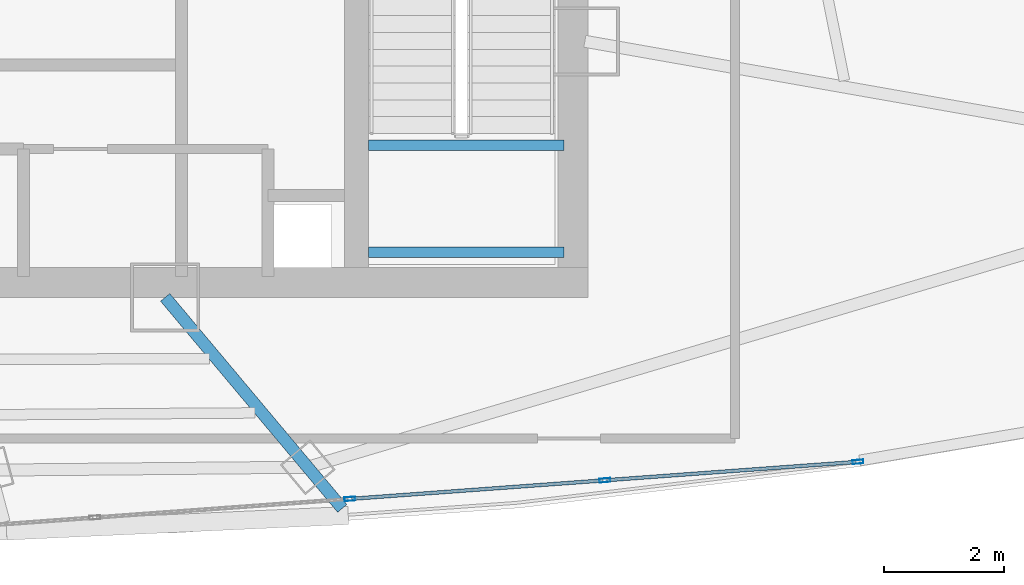
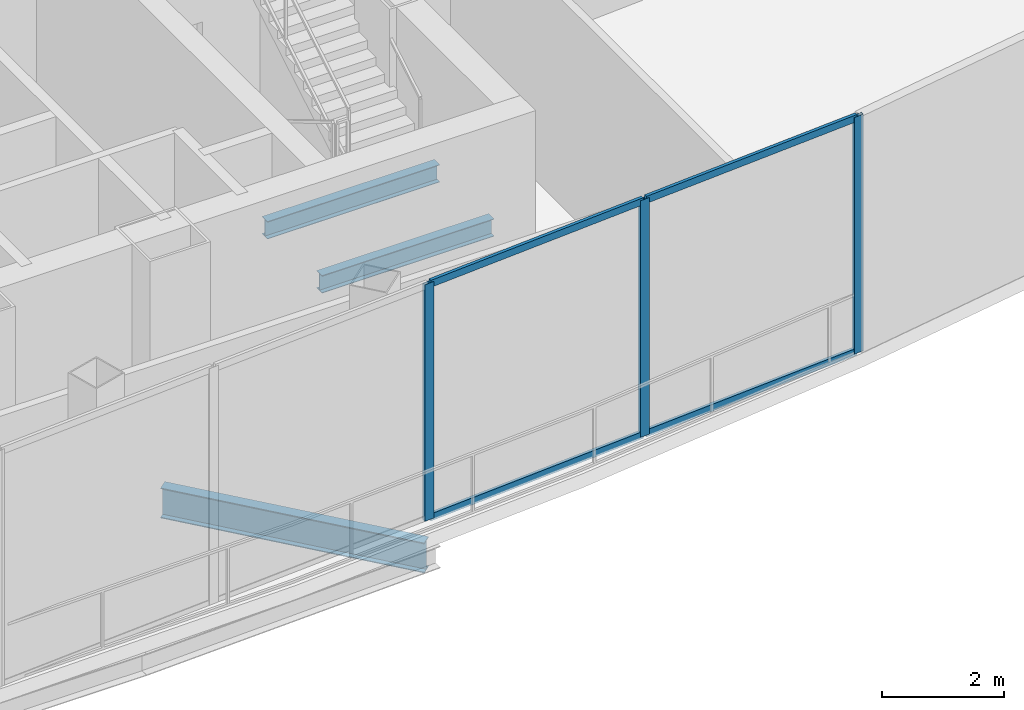
# One storey, part 14 of 33: 7 members, 3 beams, 1 element without a shape of its own.
"""IFC4 building model written with IfcOpenShell, lengths in metres."""

from ifc_helpers import new_model, si_unit, direction, frame, origin, origin_2d, place, context, subcontext, project, spatial, hollow_rectangle, i_section, extrude, source, transform, mapped, material, layer, layer_set, material_profile, profile_set, type_object, element, aggregate, save


model = new_model("IFC4")

# Units and contexts
model_context = context("Model", 3, precision=1e-05, world=origin(), true_north=direction((0.0, 1.0)))
body_context = subcontext(model_context, "Body", "Model", "MODEL_VIEW")
ifc_project = project(units=[si_unit("LENGTHUNIT", "METRE"), si_unit("AREAUNIT", "SQUARE_METRE"), si_unit("VOLUMEUNIT", "CUBIC_METRE"), si_unit("PLANEANGLEUNIT", "RADIAN"), si_unit("MASSUNIT", "GRAM", prefix="KILO"), si_unit("THERMODYNAMICTEMPERATUREUNIT", "KELVIN"), si_unit("POWERUNIT", "WATT")], contexts=[model_context])

# Site, building, storey
site_placement = place(None, origin())
site = spatial("IfcSite", under=ifc_project, at=site_placement, CompositionType="ELEMENT")
building_placement = place(site_placement, origin())
building = spatial("IfcBuilding", under=site, at=building_placement, Name="Yunzhuo Pagoda Commons", CompositionType="ELEMENT")
storey_placement = place(building_placement, frame((0.0, 0.0, 386.760009765625)))
storey = spatial("IfcBuildingStorey", under=building, at=storey_placement, Name="L96", CompositionType="ELEMENT", Elevation=386.760009765625)

# Beams
ifc_material_1 = material(Name="Structural steel Q355B", Category="steel")
ifc_material_profile_1 = material_profile(ifc_material_1, i_section(OverallWidth=0.175048828125, OverallDepth=0.35009765625, WebThickness=0.007080078125, FlangeThickness=0.010986328125, at=origin_2d()), Name="Structural steel Q355B")
ifc_profile_set_1 = profile_set([ifc_material_profile_1], Name="Structural steel Q355B")
beam_type_1 = type_object("IfcBeamType", Name="B-JS2 Joist HN 350x175x7x11", PredefinedType="JOIST", material=ifc_profile_set_1)
shared_shape_1 = source(origin(), body_context, "Body", "SweptSolid", [
    extrude(i_section(OverallWidth=0.175048828125, OverallDepth=0.35009765625, WebThickness=0.007080078125, FlangeThickness=0.010986328125, at=origin_2d()), origin(), (0.0, 0.0, 1.0), 3.25),
])
for number, where, z_axis, x_axis, name in (
    (1, (56.800048828125, 28.0, 2.125), (1.0, 0.0, 0.0), (0.0, 1.0, 0.0), "L96 ST2 landing support beam 102A"),
    (2, (56.800048828125, 29.780029296875, 2.125), (1.0, 0.0, 0.0), (0.0, 1.0, 0.0), "L96 ST2 landing support beam 102B"),
):
    element("IfcBeam", number, at=place(storey_placement, frame(where, z_axis=z_axis, x_axis=x_axis)), inside=storey, type_object=beam_type_1, Name=name, PredefinedType="JOIST", context=body_context, shape_type="MappedRepresentation", body=[
        mapped(shared_shape_1, transform((0.0, 0.0, 0.0), scale=1.0)),
    ])
ifc_material_profile_2 = material_profile(ifc_material_1, i_section(OverallWidth=0.199951171875, OverallDepth=0.60009765625, WebThickness=0.010986328125, FlangeThickness=0.01708984375, at=origin_2d()), Name="Structural steel Q355B")
ifc_profile_set_2 = profile_set([ifc_material_profile_2], Name="Structural steel Q355B")
beam_type_2 = type_object("IfcBeamType", Name="B-RG3 Beam HN 600x200x11x17", PredefinedType="BEAM", material=ifc_profile_set_2)
shared_shape_2 = source(origin(), body_context, "Body", "SweptSolid", [
    extrude(i_section(OverallWidth=0.199951171875, OverallDepth=0.60009765625, WebThickness=0.010986328125, FlangeThickness=0.01708984375, at=origin_2d()), origin(), (0.0, 0.0, 1.0), 4.587158203125),
])
beam_placement = place(storey_placement, frame((56.360595703125, 23.736083984375, -0.580078125), z_axis=(-0.642782581433, 0.766048662297, 0.0), x_axis=(-0.766048662297, -0.642782581433, 0.0)))
element("IfcBeam", 3, at=beam_placement, inside=storey, type_object=beam_type_2, Name="L96 radial floor girder F1C4", PredefinedType="BEAM", context=body_context, shape_type="MappedRepresentation", body=[
    mapped(shared_shape_2, transform((0.0, 0.0, 0.0), scale=1.0)),
])

# Curtain wall, members
ifc_material_2 = material(Name="Anodized aluminium 6063-T6", Category="aluminium")
ifc_layer = layer(ifc_material_2, 0.179931640625)
ifc_layer_set = layer_set([ifc_layer], Name="Anodized aluminium 6063-T6")
curtain_wall_type = type_object("IfcCurtainWallType", Name="CW-CRN Crown Gable Glazing System", PredefinedType="NOTDEFINED", material=ifc_layer_set)
curtain_wall_placement = place(storey_placement, origin())
curtain_wall = element("IfcCurtainWall", 4, at=curtain_wall_placement, inside=storey, type_object=curtain_wall_type, Name="L96 curtain wall CW-L96-CRNF1G2", PredefinedType="NOTDEFINED")
ifc_material_profile_3 = material_profile(ifc_material_2, hollow_rectangle(XDim=0.06494140625, YDim=0.179931640625, WallThickness=0.00390625, at=origin_2d()), Name="Anodized aluminium 6063-T6")
ifc_profile_set_3 = profile_set([ifc_material_profile_3], Name="Anodized aluminium 6063-T6")
member_type_1 = type_object("IfcMemberType", Name="CW-CRN-M Mullion RHS 180x65x4", PredefinedType="MULLION", material=ifc_profile_set_3)
shared_shape_3 = source(origin(), body_context, "Body", "SweptSolid", [
    extrude(hollow_rectangle(XDim=0.06494140625, YDim=0.179931640625, WallThickness=0.00390625, at=origin_2d()), origin(), (0.0, 0.0, 1.0), 4.72021484375),
])
member_1_placement = place(storey_placement, frame((56.486572265625, 23.8935546875, 0.0), z_axis=(0.0, 0.0, 1.0), x_axis=(-0.072795997095, 0.997346851806, 0.0)))
member_1 = element("IfcMember", 5, at=member_1_placement, type_object=member_type_1, Name="CW mullion 3", PredefinedType="MULLION", context=body_context, shape_type="MappedRepresentation", body=[
    mapped(shared_shape_3, transform((0.0, 0.0, 0.0), scale=1.0)),
])
member_2_placement = place(storey_placement, frame((60.732666015625, 24.20361328125, 0.0), z_axis=(0.0, 0.0, 1.0), x_axis=(-0.072795997095, 0.997346851806, 0.0)))
member_2 = element("IfcMember", 6, at=member_2_placement, type_object=member_type_1, Name="CW mullion 4", PredefinedType="MULLION", context=body_context, shape_type="MappedRepresentation", body=[
    mapped(shared_shape_3, transform((0.0, 0.0, 0.0), scale=1.0)),
])
member_3_placement = place(storey_placement, frame((64.9462890625, 24.511474609375, 0.0), z_axis=(0.0, 0.0, 1.0), x_axis=(-0.072795997095, 0.997346851806, 0.0)))
member_3 = element("IfcMember", 7, at=member_3_placement, type_object=member_type_1, Name="CW mullion 5", PredefinedType="MULLION", context=body_context, shape_type="MappedRepresentation", body=[
    mapped(shared_shape_3, transform((0.0, 0.0, 0.0), scale=1.0)),
])
ifc_material_profile_4 = material_profile(ifc_material_2, hollow_rectangle(XDim=0.06005859375, YDim=0.139892578125, WallThickness=0.00341796875, at=origin_2d()), Name="Anodized aluminium 6063-T6")
ifc_profile_set_4 = profile_set([ifc_material_profile_4], Name="Anodized aluminium 6063-T6")
member_type_2 = type_object("IfcMemberType", Name="CW-CRN-T Transom RHS 140x60x3.5", PredefinedType="USERDEFINED", material=ifc_profile_set_4)
shared_shape_4 = source(origin(), body_context, "Body", "SweptSolid", [
    extrude(hollow_rectangle(XDim=0.06005859375, YDim=0.139892578125, WallThickness=0.00341796875, at=origin_2d()), origin(), (0.0, 0.0, 1.0), 4.192626953125),
])
member_4_placement = place(storey_placement, frame((56.518798828125, 23.89599609375, 0.030029296875), z_axis=(0.99734724805, 0.072790568113, 0.0), x_axis=(-0.072790568113, 0.99734724805, 0.0)))
member_4 = element("IfcMember", 8, at=member_4_placement, type_object=member_type_2, Name="CW transom 3.1", ObjectType="TRANSOM", PredefinedType="USERDEFINED", context=body_context, shape_type="MappedRepresentation", body=[
    mapped(shared_shape_4, transform((0.0, 0.0, 0.0), scale=1.0)),
])
member_5_placement = place(storey_placement, frame((56.518798828125, 23.89599609375, 4.68994140625), z_axis=(0.99734724805, 0.072790568113, 0.0), x_axis=(-0.072790568113, 0.99734724805, 0.0)))
member_5 = element("IfcMember", 9, at=member_5_placement, type_object=member_type_2, Name="CW transom 3.2", ObjectType="TRANSOM", PredefinedType="USERDEFINED", context=body_context, shape_type="MappedRepresentation", body=[
    mapped(shared_shape_4, transform((0.0, 0.0, 0.0), scale=1.0)),
])
shared_shape_5 = source(origin(), body_context, "Body", "SweptSolid", [
    extrude(hollow_rectangle(XDim=0.06005859375, YDim=0.139892578125, WallThickness=0.00341796875, at=origin_2d()), origin(), (0.0, 0.0, 1.0), 4.16015625),
])
member_6_placement = place(storey_placement, frame((60.76513671875, 24.2060546875, 0.030029296875), z_axis=(0.997348807495, 0.072769198076, 0.0), x_axis=(-0.072769198076, 0.997348807495, 0.0)))
member_6 = element("IfcMember", 10, at=member_6_placement, type_object=member_type_2, Name="CW transom 4.1", ObjectType="TRANSOM", PredefinedType="USERDEFINED", context=body_context, shape_type="MappedRepresentation", body=[
    mapped(shared_shape_5, transform((0.0, 0.0, 0.0), scale=1.0)),
])
member_7_placement = place(storey_placement, frame((60.76513671875, 24.2060546875, 4.68994140625), z_axis=(0.997348807495, 0.072769198076, 0.0), x_axis=(-0.072769198076, 0.997348807495, 0.0)))
member_7 = element("IfcMember", 11, at=member_7_placement, type_object=member_type_2, Name="CW transom 4.2", ObjectType="TRANSOM", PredefinedType="USERDEFINED", context=body_context, shape_type="MappedRepresentation", body=[
    mapped(shared_shape_5, transform((0.0, 0.0, 0.0), scale=1.0)),
])
aggregate(curtain_wall, [member_1, member_2, member_3, member_4, member_5, member_6, member_7])

save(model, "model.ifc")
